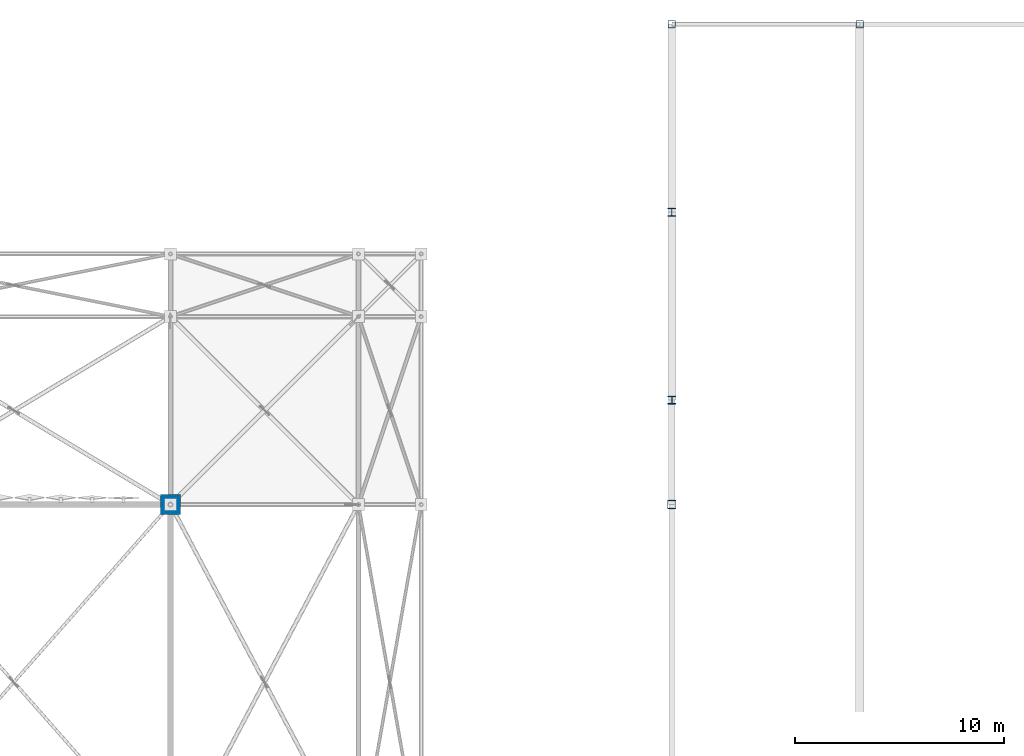
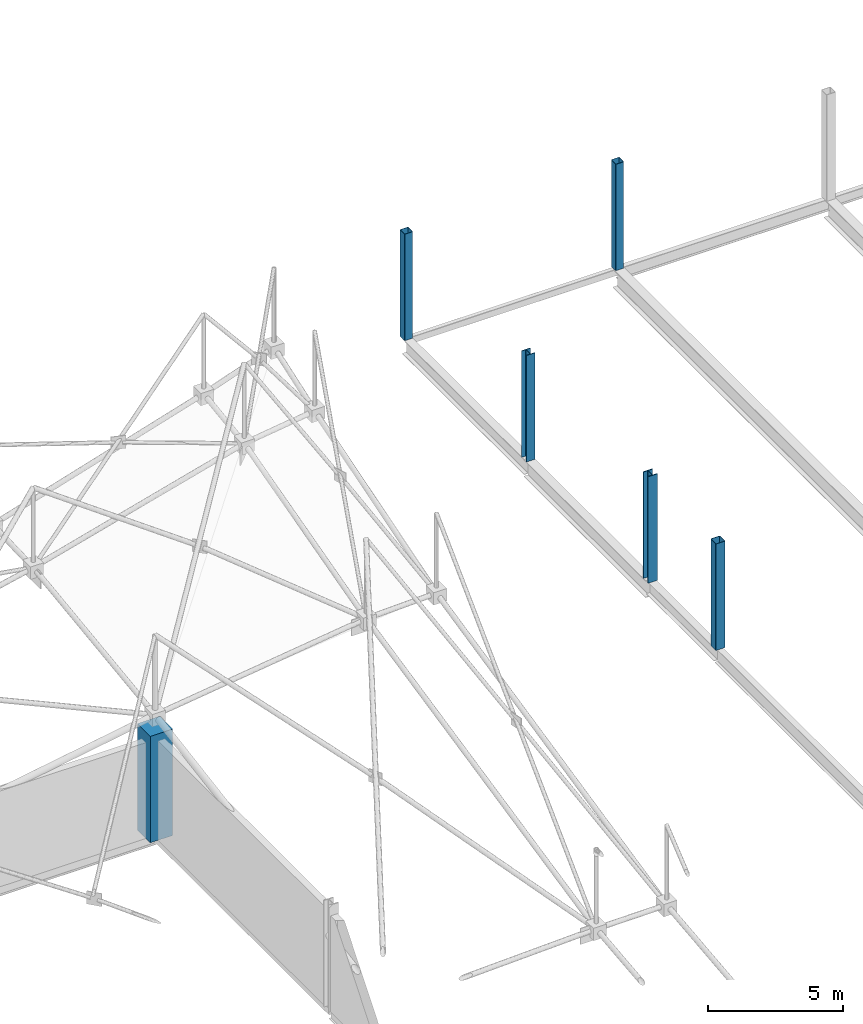
# One storey, part 16 of 224: 6 columns.
"""IFC4 building model written with IfcOpenShell, lengths in metres."""

from ifc_helpers import new_model, si_unit, direction, frame, origin, origin_2d, place, context, subcontext, project, spatial, rectangle, hollow_rectangle, i_section, extrude, material, material_profile, profile_set, type_object, element, save


model = new_model("IFC4")

# Units and contexts
model_context = context("Model", 3, precision=1e-05, world=origin(), true_north=direction((0.0, 1.0)))
body_context = subcontext(model_context, "Body", "Model", "MODEL_VIEW")
ifc_project = project(units=[si_unit("LENGTHUNIT", "METRE"), si_unit("AREAUNIT", "SQUARE_METRE"), si_unit("VOLUMEUNIT", "CUBIC_METRE"), si_unit("PLANEANGLEUNIT", "RADIAN"), si_unit("MASSUNIT", "GRAM", prefix="KILO")], contexts=[model_context])

# Site, building, storey
site_placement = place(None, origin())
site = spatial("IfcSite", under=ifc_project, at=site_placement, CompositionType="ELEMENT")
building_placement = place(site_placement, origin())
building = spatial("IfcBuilding", under=site, at=building_placement, Name="Qamarlyn Nura Convention Centre", CompositionType="ELEMENT")
storey_placement = place(building_placement, frame((0.0, 0.0, 10.800048828125)))
storey = spatial("IfcBuildingStorey", under=building, at=storey_placement, Name="L02", CompositionType="ELEMENT", Elevation=10.800048828125)

# Columns
ifc_material_1 = material(Name="Concrete C50/60", Category="concrete")
ifc_material_profile_1 = material_profile(ifc_material_1, rectangle(XDim=0.949951171875, YDim=0.949951171875, at=origin_2d()), Name="RC 950x950")
ifc_profile_set_1 = profile_set([ifc_material_profile_1], Name="Concrete C50/60")
column_type_1 = type_object("IfcColumnType", Name="COL-HALL-2", PredefinedType="COLUMN", material=ifc_profile_set_1)
column_1_placement = place(storey_placement, frame((120.0, 103.0, 0.0), z_axis=(0.0, 0.0, 1.0), x_axis=(1.0, 0.0, 0.0)))
element("IfcColumn", 1, at=column_1_placement, inside=storey, type_object=column_type_1, Name="L02 column 9/M", PredefinedType="COLUMN", context=body_context, shape_type="SweptSolid", body=[
    extrude(rectangle(XDim=0.949951171875, YDim=0.949951171875, at=origin_2d()), origin(), (0.0, 0.0, 1.0), 4.800048828125),
])
ifc_material_2 = material(Name="Steel ASTM A500 Grade C", Category="steel")
ifc_material_profile_2 = material_profile(ifc_material_2, hollow_rectangle(XDim=0.39990234375, YDim=0.39990234375, WallThickness=0.01611328125, InnerFilletRadius=0.01611328125, OuterFilletRadius=0.031982421875, at=origin_2d()), Name="HSS400X400X16")
ifc_profile_set_2 = profile_set([ifc_material_profile_2], Name="Steel ASTM A500 Grade C")
column_type_2 = type_object("IfcColumnType", Name="COL-HSS-1", PredefinedType="COLUMN", material=ifc_profile_set_2)
column_2_placement = place(storey_placement, frame((144.0, 103.0, 0.0), z_axis=(0.0, 0.0, 1.0), x_axis=(1.0, 0.0, 0.0)))
element("IfcColumn", 2, at=column_2_placement, inside=storey, type_object=column_type_2, Name="L02 column 12/M", PredefinedType="COLUMN", context=body_context, shape_type="SweptSolid", body=[
    extrude(hollow_rectangle(XDim=0.39990234375, YDim=0.39990234375, WallThickness=0.01611328125, InnerFilletRadius=0.01611328125, OuterFilletRadius=0.031982421875, at=origin_2d()), origin(), (0.0, 0.0, 1.0), 4.800048828125),
])
ifc_material_profile_3 = material_profile(ifc_material_2, hollow_rectangle(XDim=0.35009765625, YDim=0.35009765625, WallThickness=0.012451171875, InnerFilletRadius=0.012451171875, OuterFilletRadius=0.02490234375, at=origin_2d()), Name="HSS350X350X12.5")
ifc_profile_set_3 = profile_set([ifc_material_profile_3], Name="Steel ASTM A500 Grade C")
column_type_3 = type_object("IfcColumnType", Name="COL-HSS-2", PredefinedType="COLUMN", material=ifc_profile_set_3)
for number, where, z_axis, x_axis, name in (
    (3, (144.0, 126.0, 0.0), (0.0, 0.0, 1.0), (1.0, 0.0, 0.0), "L02 column 12/Q"),
    (4, (153.0, 126.0, 0.0), (0.0, 0.0, 1.0), (1.0, 0.0, 0.0), "L02 column 13/Q"),
):
    element("IfcColumn", number, at=place(storey_placement, frame(where, z_axis=z_axis, x_axis=x_axis)), inside=storey, type_object=column_type_3, Name=name, PredefinedType="COLUMN", context=body_context, shape_type="SweptSolid", body=[
        extrude(hollow_rectangle(XDim=0.35009765625, YDim=0.35009765625, WallThickness=0.012451171875, InnerFilletRadius=0.012451171875, OuterFilletRadius=0.02490234375, at=origin_2d()), origin(), (0.0, 0.0, 1.0), 4.800048828125),
    ])
ifc_material_3 = material(Name="Steel ASTM A992", Category="steel")
ifc_material_profile_4 = material_profile(ifc_material_3, i_section(OverallWidth=0.39892578125, OverallDepth=0.39306640625, WebThickness=0.022705078125, FlangeThickness=0.03662109375, FilletRadius=0.01806640625, at=origin_2d()), Name="W360X287")
ifc_profile_set_4 = profile_set([ifc_material_profile_4], Name="Steel ASTM A992")
column_type_4 = type_object("IfcColumnType", Name="COL-WING-1", PredefinedType="COLUMN", material=ifc_profile_set_4)
column_3_placement = place(storey_placement, frame((144.0, 108.0, 0.0), z_axis=(0.0, 0.0, 1.0), x_axis=(1.0, 0.0, 0.0)))
element("IfcColumn", 5, at=column_3_placement, inside=storey, type_object=column_type_4, Name="L02 column 12/N", PredefinedType="COLUMN", context=body_context, shape_type="SweptSolid", body=[
    extrude(i_section(OverallWidth=0.39892578125, OverallDepth=0.39306640625, WebThickness=0.022705078125, FlangeThickness=0.03662109375, FilletRadius=0.01806640625, at=origin_2d()), origin(), (0.0, 0.0, 1.0), 4.800048828125),
])
ifc_material_profile_5 = material_profile(ifc_material_3, i_section(OverallWidth=0.3740234375, OverallDepth=0.3720703125, WebThickness=0.016357421875, FlangeThickness=0.026123046875, FilletRadius=0.01611328125, at=origin_2d()), Name="W360X196")
ifc_profile_set_5 = profile_set([ifc_material_profile_5], Name="Steel ASTM A992")
column_type_5 = type_object("IfcColumnType", Name="COL-WING-2", PredefinedType="COLUMN", material=ifc_profile_set_5)
column_4_placement = place(storey_placement, frame((144.0, 117.0, 0.0), z_axis=(0.0, 0.0, 1.0), x_axis=(1.0, 0.0, 0.0)))
element("IfcColumn", 6, at=column_4_placement, inside=storey, type_object=column_type_5, Name="L02 column 12/P", PredefinedType="COLUMN", context=body_context, shape_type="SweptSolid", body=[
    extrude(i_section(OverallWidth=0.3740234375, OverallDepth=0.3720703125, WebThickness=0.016357421875, FlangeThickness=0.026123046875, FilletRadius=0.01611328125, at=origin_2d()), origin(), (0.0, 0.0, 1.0), 4.800048828125),
])

save(model, "model.ifc")
